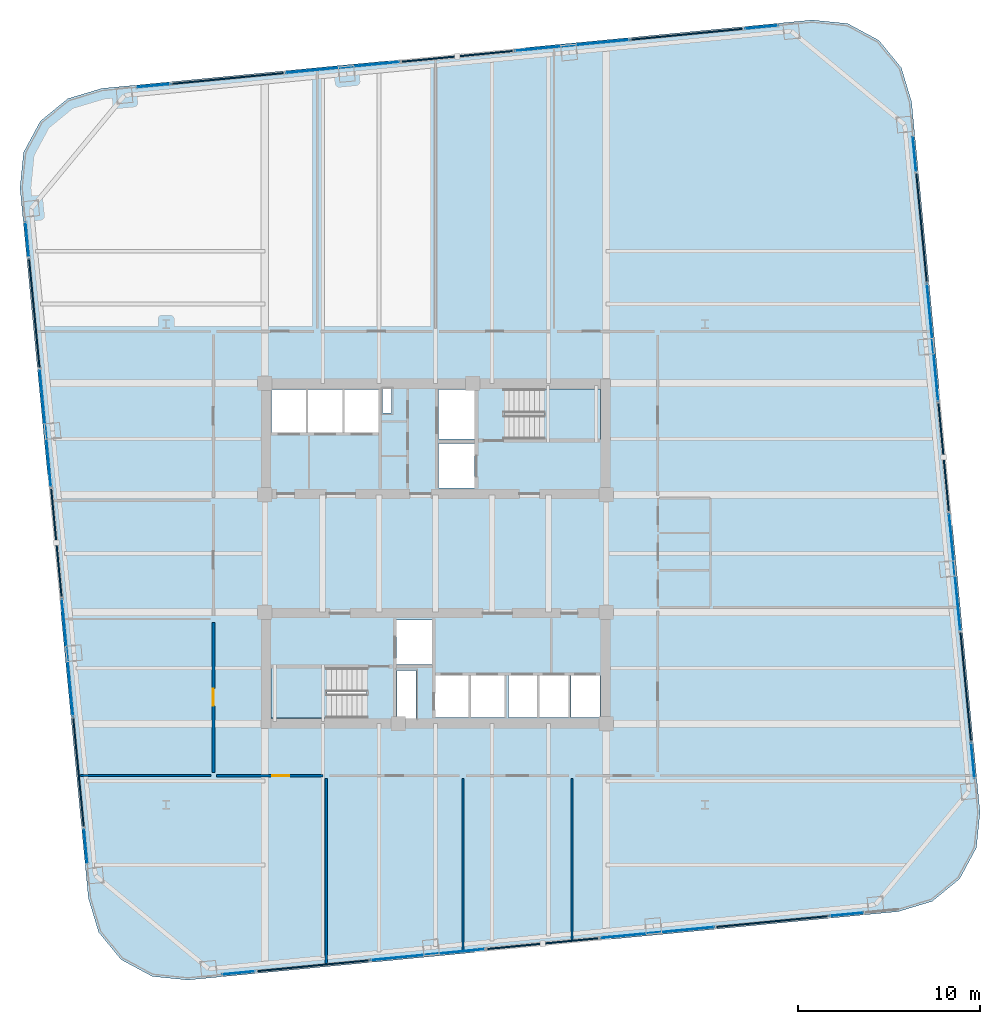
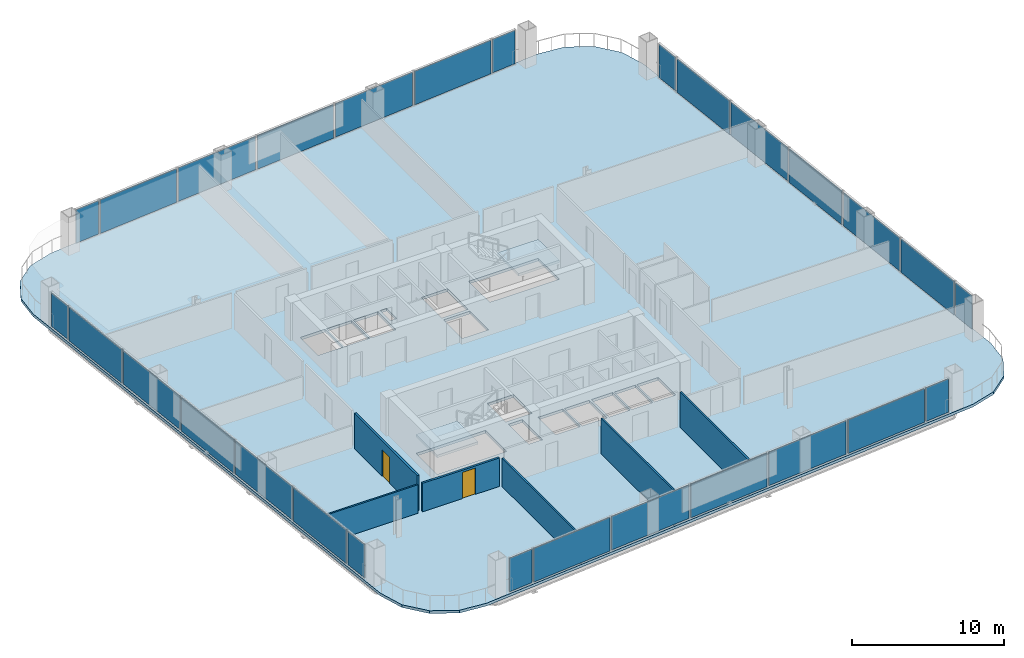
# One storey, part 22 of 28: 28 plates, 6 walls, 3 slabs, 2 doors, 2 openings, 30 elements without a shape of their own.
"""IFC4 building model written with IfcOpenShell, lengths in metres."""

from ifc_helpers import new_model, si_unit, direction, frame, frame_2d, origin, origin_2d, place, context, subcontext, project, spatial, polyline, rectangle, outline, extrude, material, layer, layer_set, type_object, element, fill, aggregate, save


model = new_model("IFC4")

# Units and contexts
model_context = context("Model", 3, precision=1e-05, world=origin(), true_north=direction((0.0, 1.0)))
body_context = subcontext(model_context, "Body", "Model", "MODEL_VIEW")
ifc_project = project(units=[si_unit("LENGTHUNIT", "METRE"), si_unit("AREAUNIT", "SQUARE_METRE"), si_unit("VOLUMEUNIT", "CUBIC_METRE"), si_unit("PLANEANGLEUNIT", "RADIAN"), si_unit("MASSUNIT", "GRAM", prefix="KILO")], contexts=[model_context])

# Site, building, storey
site_placement = place(None, origin())
site = spatial("IfcSite", under=ifc_project, at=site_placement, CompositionType="ELEMENT")
building_placement = place(site_placement, origin())
building = spatial("IfcBuilding", under=site, at=building_placement, Name="Qhalaya Broadcast Tower", CompositionType="ELEMENT")
storey_placement = place(building_placement, frame((0.0, 0.0, 90.800048828125)))
storey = spatial("IfcBuildingStorey", under=building, at=storey_placement, Name="L26", CompositionType="ELEMENT", Elevation=90.800048828125)

# Curtain wall, plate
ifc_material_1 = material(Name="Fired Architectural Terracotta", Category="masonry")
ifc_layer_1 = layer(ifc_material_1, 0.219970703125, Name="Fired Architectural Terracotta")
ifc_layer_set_1 = layer_set([ifc_layer_1], Name="Fired Architectural Terracotta")
curtain_wall_type_1 = type_object("IfcCurtainWallType", Name="Block-Cap Unitised Terracotta Spandrel Wall CW-07", PredefinedType="NOTDEFINED", material=ifc_layer_set_1)
curtain_wall_1_placement = place(storey_placement, origin())
curtain_wall_1 = element("IfcCurtainWall", 1, at=curtain_wall_1_placement, inside=storey, type_object=curtain_wall_type_1, Name="L26 Unitised Curtain Wall L26-CW-S2", PredefinedType="NOTDEFINED")
ifc_layer_2 = layer(ifc_material_1, 0.080078125, Name="Fired Architectural Terracotta")
ifc_layer_set_2 = layer_set([ifc_layer_2], Name="Fired Architectural Terracotta")
plate_type_1 = type_object("IfcPlateType", Name="Insulated Terracotta Spandrel Panel TSP-07", PredefinedType="CURTAIN_PANEL", material=ifc_layer_set_2)
plate_1_placement = place(storey_placement, frame((-6.721923828125, -22.041259765625, 0.0751953125), z_axis=(0.0, 0.0, 1.0), x_axis=(0.995394666059, 0.095861664819, 0.0)))
plate_1 = element("IfcPlate", 2, at=plate_1_placement, type_object=plate_type_1, Name="CW-07 panel 1.1", PredefinedType="CURTAIN_PANEL", context=body_context, shape_type="SweptSolid", body=[
    extrude(rectangle(XDim=6.130859375, YDim=0.080078125, at=origin_2d()), origin(), (0.0, 0.0, 1.0), 2.679931640625),
])
aggregate(curtain_wall_1, [plate_1])

curtain_wall_2_placement = place(storey_placement, origin())
curtain_wall_2 = element("IfcCurtainWall", 3, at=curtain_wall_2_placement, inside=storey, type_object=curtain_wall_type_1, Name="L26 Unitised Curtain Wall L26-CW-S4", PredefinedType="NOTDEFINED")
plate_2_placement = place(storey_placement, frame((5.88623046875, -20.827392578125, 0.0751953125), z_axis=(0.0, 0.0, 1.0), x_axis=(0.995394756218, 0.095860728627, 0.0)))
plate_2 = element("IfcPlate", 4, at=plate_2_placement, type_object=plate_type_1, Name="CW-07 panel 1.1", PredefinedType="CURTAIN_PANEL", context=body_context, shape_type="SweptSolid", body=[
    extrude(rectangle(XDim=6.132080078125, YDim=0.080078125, at=origin_2d()), origin(), (0.0, 0.0, 1.0), 2.679931640625),
])
aggregate(curtain_wall_2, [plate_2])

curtain_wall_3_placement = place(storey_placement, origin())
curtain_wall_3 = element("IfcCurtainWall", 5, at=curtain_wall_3_placement, inside=storey, type_object=curtain_wall_type_1, Name="L26 Unitised Curtain Wall L26-CW-S6", PredefinedType="NOTDEFINED")
plate_3_placement = place(storey_placement, frame((18.494384765625, -19.61328125, 0.0751953125), z_axis=(0.0, 0.0, 1.0), x_axis=(0.995394812364, 0.095860145627, 0.0)))
plate_3 = element("IfcPlate", 6, at=plate_3_placement, type_object=plate_type_1, Name="CW-07 panel 1.1", PredefinedType="CURTAIN_PANEL", context=body_context, shape_type="SweptSolid", body=[
    extrude(rectangle(XDim=6.131103515625, YDim=0.080078125, at=origin_2d()), origin(), (0.0, 0.0, 1.0), 2.679931640625),
])
aggregate(curtain_wall_3, [plate_3])

curtain_wall_4_placement = place(storey_placement, origin())
curtain_wall_4 = element("IfcCurtainWall", 7, at=curtain_wall_4_placement, inside=storey, type_object=curtain_wall_type_1, Name="L26 Unitised Curtain Wall L26-CW-E2", PredefinedType="NOTDEFINED")
plate_4_placement = place(storey_placement, frame((29.121337890625, -6.721923828125, 0.0751953125), z_axis=(0.0, 0.0, 1.0), x_axis=(-0.095843409779, 0.995396423945, 0.0)))
plate_4 = element("IfcPlate", 8, at=plate_4_placement, type_object=plate_type_1, Name="CW-07 panel 1.1", PredefinedType="CURTAIN_PANEL", context=body_context, shape_type="SweptSolid", body=[
    extrude(rectangle(XDim=5.958984375, YDim=0.080078125, at=origin_2d()), origin(), (0.0, 0.0, 1.0), 2.679931640625),
])
aggregate(curtain_wall_4, [plate_4])

curtain_wall_5_placement = place(storey_placement, origin())
curtain_wall_5 = element("IfcCurtainWall", 9, at=curtain_wall_5_placement, inside=storey, type_object=curtain_wall_type_1, Name="L26 Unitised Curtain Wall L26-CW-E4", PredefinedType="NOTDEFINED")
plate_5_placement = place(storey_placement, frame((27.9072265625, 5.88623046875, 0.0751953125), z_axis=(0.0, 0.0, 1.0), x_axis=(-0.095841245509, 0.995396632333, 0.0)))
plate_5 = element("IfcPlate", 10, at=plate_5_placement, type_object=plate_type_1, Name="CW-07 panel 1.1", PredefinedType="CURTAIN_PANEL", context=body_context, shape_type="SweptSolid", body=[
    extrude(rectangle(XDim=5.9580078125, YDim=0.080078125, at=origin_2d()), origin(), (0.0, 0.0, 1.0), 2.679931640625),
])
aggregate(curtain_wall_5, [plate_5])

curtain_wall_6_placement = place(storey_placement, origin())
curtain_wall_6 = element("IfcCurtainWall", 11, at=curtain_wall_6_placement, inside=storey, type_object=curtain_wall_type_1, Name="L26 Unitised Curtain Wall L26-CW-E6", PredefinedType="NOTDEFINED")
plate_6_placement = place(storey_placement, frame((26.693359375, 18.494384765625, 0.0751953125), z_axis=(0.0, 0.0, 1.0), x_axis=(-0.095841848125, 0.99539657431, 0.0)))
plate_6 = element("IfcPlate", 12, at=plate_6_placement, type_object=plate_type_1, Name="CW-07 panel 1.1", PredefinedType="CURTAIN_PANEL", context=body_context, shape_type="SweptSolid", body=[
    extrude(rectangle(XDim=5.958984375, YDim=0.080078125, at=origin_2d()), origin(), (0.0, 0.0, 1.0), 2.679931640625),
])
aggregate(curtain_wall_6, [plate_6])

curtain_wall_7_placement = place(storey_placement, origin())
curtain_wall_7 = element("IfcCurtainWall", 13, at=curtain_wall_7_placement, inside=storey, type_object=curtain_wall_type_1, Name="L26 Unitised Curtain Wall L26-CW-N2", PredefinedType="NOTDEFINED")
plate_7_placement = place(storey_placement, frame((13.802001953125, 29.121337890625, 0.0751953125), z_axis=(0.0, 0.0, 1.0), x_axis=(-0.995394666059, -0.095861664819, 0.0)))
plate_7 = element("IfcPlate", 14, at=plate_7_placement, type_object=plate_type_1, Name="CW-07 panel 1.1", PredefinedType="CURTAIN_PANEL", context=body_context, shape_type="SweptSolid", body=[
    extrude(rectangle(XDim=6.130859375, YDim=0.080078125, at=origin_2d()), origin(), (0.0, 0.0, 1.0), 2.679931640625),
])
aggregate(curtain_wall_7, [plate_7])

curtain_wall_8_placement = place(storey_placement, origin())
curtain_wall_8 = element("IfcCurtainWall", 15, at=curtain_wall_8_placement, inside=storey, type_object=curtain_wall_type_1, Name="L26 Unitised Curtain Wall L26-CW-N4", PredefinedType="NOTDEFINED")
plate_8_placement = place(storey_placement, frame((1.19384765625, 27.9072265625, 0.0751953125), z_axis=(0.0, 0.0, 1.0), x_axis=(-0.995394756218, -0.095860728627, 0.0)))
plate_8 = element("IfcPlate", 16, at=plate_8_placement, type_object=plate_type_1, Name="CW-07 panel 1.1", PredefinedType="CURTAIN_PANEL", context=body_context, shape_type="SweptSolid", body=[
    extrude(rectangle(XDim=6.132080078125, YDim=0.080078125, at=origin_2d()), origin(), (0.0, 0.0, 1.0), 2.679931640625),
])
aggregate(curtain_wall_8, [plate_8])

curtain_wall_9_placement = place(storey_placement, origin())
curtain_wall_9 = element("IfcCurtainWall", 17, at=curtain_wall_9_placement, inside=storey, type_object=curtain_wall_type_1, Name="L26 Unitised Curtain Wall L26-CW-N6", PredefinedType="NOTDEFINED")
plate_9_placement = place(storey_placement, frame((-11.41455078125, 26.693359375, 0.0751953125), z_axis=(0.0, 0.0, 1.0), x_axis=(-0.995394812364, -0.095860145627, 0.0)))
plate_9 = element("IfcPlate", 18, at=plate_9_placement, type_object=plate_type_1, Name="CW-07 panel 1.1", PredefinedType="CURTAIN_PANEL", context=body_context, shape_type="SweptSolid", body=[
    extrude(rectangle(XDim=6.131103515625, YDim=0.080078125, at=origin_2d()), origin(), (0.0, 0.0, 1.0), 2.679931640625),
])
aggregate(curtain_wall_9, [plate_9])

curtain_wall_10_placement = place(storey_placement, origin())
curtain_wall_10 = element("IfcCurtainWall", 19, at=curtain_wall_10_placement, inside=storey, type_object=curtain_wall_type_1, Name="L26 Unitised Curtain Wall L26-CW-W2", PredefinedType="NOTDEFINED")
plate_10_placement = place(storey_placement, frame((-22.041259765625, 13.802001953125, 0.0751953125), z_axis=(0.0, 0.0, 1.0), x_axis=(0.095843409779, -0.995396423945, 0.0)))
plate_10 = element("IfcPlate", 20, at=plate_10_placement, type_object=plate_type_1, Name="CW-07 panel 1.1", PredefinedType="CURTAIN_PANEL", context=body_context, shape_type="SweptSolid", body=[
    extrude(rectangle(XDim=5.958984375, YDim=0.080078125, at=origin_2d()), origin(), (0.0, 0.0, 1.0), 2.679931640625),
])
aggregate(curtain_wall_10, [plate_10])

curtain_wall_11_placement = place(storey_placement, origin())
curtain_wall_11 = element("IfcCurtainWall", 21, at=curtain_wall_11_placement, inside=storey, type_object=curtain_wall_type_1, Name="L26 Unitised Curtain Wall L26-CW-W4", PredefinedType="NOTDEFINED")
plate_11_placement = place(storey_placement, frame((-20.827392578125, 1.19384765625, 0.0751953125), z_axis=(0.0, 0.0, 1.0), x_axis=(0.095841245509, -0.995396632333, 0.0)))
plate_11 = element("IfcPlate", 22, at=plate_11_placement, type_object=plate_type_1, Name="CW-07 panel 1.1", PredefinedType="CURTAIN_PANEL", context=body_context, shape_type="SweptSolid", body=[
    extrude(rectangle(XDim=5.9580078125, YDim=0.080078125, at=origin_2d()), origin(), (0.0, 0.0, 1.0), 2.679931640625),
])
aggregate(curtain_wall_11, [plate_11])

curtain_wall_12_placement = place(storey_placement, origin())
curtain_wall_12 = element("IfcCurtainWall", 23, at=curtain_wall_12_placement, inside=storey, type_object=curtain_wall_type_1, Name="L26 Unitised Curtain Wall L26-CW-W6", PredefinedType="NOTDEFINED")
plate_12_placement = place(storey_placement, frame((-19.61328125, -11.41455078125, 0.0751953125), z_axis=(0.0, 0.0, 1.0), x_axis=(0.095841848125, -0.99539657431, 0.0)))
plate_12 = element("IfcPlate", 24, at=plate_12_placement, type_object=plate_type_1, Name="CW-07 panel 1.1", PredefinedType="CURTAIN_PANEL", context=body_context, shape_type="SweptSolid", body=[
    extrude(rectangle(XDim=5.958984375, YDim=0.080078125, at=origin_2d()), origin(), (0.0, 0.0, 1.0), 2.679931640625),
])
aggregate(curtain_wall_12, [plate_12])

ifc_material_2 = material(Name="Solar-Control Low-E Triple Glazing", Category="glass")
ifc_layer_3 = layer(ifc_material_2, 0.219970703125, Name="Solar-Control Low-E Triple Glazing")
ifc_layer_set_3 = layer_set([ifc_layer_3], Name="Solar-Control Low-E Triple Glazing")
curtain_wall_type_2 = type_object("IfcCurtainWallType", Name="Even-Block 4-Storey Double-Module Curtain Wall CW-03", PredefinedType="NOTDEFINED", material=ifc_layer_set_3)
curtain_wall_13_placement = place(storey_placement, origin())
curtain_wall_13 = element("IfcCurtainWall", 25, at=curtain_wall_13_placement, inside=storey, type_object=curtain_wall_type_2, Name="L26 Unitised Curtain Wall L26-CW-S1", PredefinedType="NOTDEFINED")
ifc_layer_4 = layer(ifc_material_2, 0.035888671875, Name="Solar-Control Low-E Triple Glazing")
ifc_layer_set_4 = layer_set([ifc_layer_4], Name="Solar-Control Low-E Triple Glazing")
plate_type_2 = type_object("IfcPlateType", Name="Solar-Control Curtain Glazing Panel GLP-03", PredefinedType="CURTAIN_PANEL", material=ifc_layer_set_4)
plate_13_placement = place(storey_placement, frame((-10.81494140625, -22.435546875, 0.0751953125), z_axis=(0.0, 0.0, 1.0), x_axis=(0.99539780127, 0.095829104278, 0.0)))
plate_13 = element("IfcPlate", 26, at=plate_13_placement, type_object=plate_type_2, Name="CW-03 panel 1.1", PredefinedType="CURTAIN_PANEL", context=body_context, shape_type="SweptSolid", body=[
    extrude(rectangle(XDim=1.79296875, YDim=0.035888671875, at=origin_2d()), origin(), (0.0, 0.0, 1.0), 2.679931640625),
])
aggregate(curtain_wall_13, [plate_13])

curtain_wall_14_placement = place(storey_placement, origin())
curtain_wall_14 = element("IfcCurtainWall", 27, at=curtain_wall_14_placement, inside=storey, type_object=curtain_wall_type_2, Name="L26 Unitised Curtain Wall L26-CW-S3", PredefinedType="NOTDEFINED")
plate_14_placement = place(storey_placement, frame((-0.418212890625, -21.434326171875, 0.0751953125), z_axis=(0.0, 0.0, 1.0), x_axis=(0.99539731409, 0.095834164588, 0.0)))
plate_14 = element("IfcPlate", 28, at=plate_14_placement, type_object=plate_type_2, Name="CW-03 panel 1.1", PredefinedType="CURTAIN_PANEL", context=body_context, shape_type="SweptSolid", body=[
    extrude(rectangle(XDim=6.235107421875, YDim=0.035888671875, at=origin_2d()), origin(), (0.0, 0.0, 1.0), 2.679931640625),
])
aggregate(curtain_wall_14, [plate_14])

curtain_wall_15_placement = place(storey_placement, origin())
curtain_wall_15 = element("IfcCurtainWall", 29, at=curtain_wall_15_placement, inside=storey, type_object=curtain_wall_type_2, Name="L26 Unitised Curtain Wall L26-CW-S5", PredefinedType="NOTDEFINED")
plate_15_placement = place(storey_placement, frame((12.190673828125, -20.22021484375, 0.0751953125), z_axis=(0.0, 0.0, 1.0), x_axis=(0.99539731409, 0.095834164588, 0.0)))
plate_15 = element("IfcPlate", 30, at=plate_15_placement, type_object=plate_type_2, Name="CW-03 panel 1.1", PredefinedType="CURTAIN_PANEL", context=body_context, shape_type="SweptSolid", body=[
    extrude(rectangle(XDim=6.235107421875, YDim=0.035888671875, at=origin_2d()), origin(), (0.0, 0.0, 1.0), 2.679931640625),
])
aggregate(curtain_wall_15, [plate_15])

curtain_wall_16_placement = place(storey_placement, origin())
curtain_wall_16 = element("IfcCurtainWall", 31, at=curtain_wall_16_placement, inside=storey, type_object=curtain_wall_type_2, Name="L26 Unitised Curtain Wall L26-CW-S7", PredefinedType="NOTDEFINED")
plate_16_placement = place(storey_placement, frame((22.587646484375, -19.218994140625, 0.0751953125), z_axis=(0.0, 0.0, 1.0), x_axis=(0.99539780127, 0.095829104278, 0.0)))
plate_16 = element("IfcPlate", 32, at=plate_16_placement, type_object=plate_type_2, Name="CW-03 panel 1.1", PredefinedType="CURTAIN_PANEL", context=body_context, shape_type="SweptSolid", body=[
    extrude(rectangle(XDim=1.79296875, YDim=0.035888671875, at=origin_2d()), origin(), (0.0, 0.0, 1.0), 2.679931640625),
])
aggregate(curtain_wall_16, [plate_16])

curtain_wall_17_placement = place(storey_placement, origin())
curtain_wall_17 = element("IfcCurtainWall", 33, at=curtain_wall_17_placement, inside=storey, type_object=curtain_wall_type_2, Name="L26 Unitised Curtain Wall L26-CW-E1", PredefinedType="NOTDEFINED")
plate_17_placement = place(storey_placement, frame((29.51123046875, -10.772216796875, 0.0751953125), z_axis=(0.0, 0.0, 1.0), x_axis=(-0.095857964978, 0.995395022366, 0.0)))
plate_17 = element("IfcPlate", 34, at=plate_17_placement, type_object=plate_type_2, Name="CW-03 panel 1.1", PredefinedType="CURTAIN_PANEL", context=body_context, shape_type="SweptSolid", body=[
    extrude(rectangle(XDim=1.879150390625, YDim=0.035888671875, at=origin_2d()), origin(), (0.0, 0.0, 1.0), 2.679931640625),
])
aggregate(curtain_wall_17, [plate_17])

curtain_wall_18_placement = place(storey_placement, origin())
curtain_wall_18 = element("IfcCurtainWall", 35, at=curtain_wall_18_placement, inside=storey, type_object=curtain_wall_type_2, Name="L26 Unitised Curtain Wall L26-CW-E3", PredefinedType="NOTDEFINED")
plate_18_placement = place(storey_placement, frame((28.514404296875, -0.41748046875, 0.0751953125), z_axis=(0.0, 0.0, 1.0), x_axis=(-0.095852453314, 0.995395553131, 0.0)))
plate_18 = element("IfcPlate", 36, at=plate_18_placement, type_object=plate_type_2, Name="CW-03 panel 1.1", PredefinedType="CURTAIN_PANEL", context=body_context, shape_type="SweptSolid", body=[
    extrude(rectangle(XDim=6.407958984375, YDim=0.035888671875, at=origin_2d()), origin(), (0.0, 0.0, 1.0), 2.679931640625),
])
aggregate(curtain_wall_18, [plate_18])

curtain_wall_19_placement = place(storey_placement, origin())
curtain_wall_19 = element("IfcCurtainWall", 37, at=curtain_wall_19_placement, inside=storey, type_object=curtain_wall_type_2, Name="L26 Unitised Curtain Wall L26-CW-E5", PredefinedType="NOTDEFINED")
plate_19_placement = place(storey_placement, frame((27.30029296875, 12.190185546875, 0.0751953125), z_axis=(0.0, 0.0, 1.0), x_axis=(-0.095852453314, 0.995395553131, 0.0)))
plate_19 = element("IfcPlate", 38, at=plate_19_placement, type_object=plate_type_2, Name="CW-03 panel 1.1", PredefinedType="CURTAIN_PANEL", context=body_context, shape_type="SweptSolid", body=[
    extrude(rectangle(XDim=6.407958984375, YDim=0.035888671875, at=origin_2d()), origin(), (0.0, 0.0, 1.0), 2.679931640625),
])
aggregate(curtain_wall_19, [plate_19])

curtain_wall_20_placement = place(storey_placement, origin())
curtain_wall_20 = element("IfcCurtainWall", 39, at=curtain_wall_20_placement, inside=storey, type_object=curtain_wall_type_2, Name="L26 Unitised Curtain Wall L26-CW-E7", PredefinedType="NOTDEFINED")
plate_20_placement = place(storey_placement, frame((26.30322265625, 22.544677734375, 0.0751953125), z_axis=(0.0, 0.0, 1.0), x_axis=(-0.095857964978, 0.995395022366, 0.0)))
plate_20 = element("IfcPlate", 40, at=plate_20_placement, type_object=plate_type_2, Name="CW-03 panel 1.1", PredefinedType="CURTAIN_PANEL", context=body_context, shape_type="SweptSolid", body=[
    extrude(rectangle(XDim=1.879150390625, YDim=0.035888671875, at=origin_2d()), origin(), (0.0, 0.0, 1.0), 2.679931640625),
])
aggregate(curtain_wall_20, [plate_20])

curtain_wall_21_placement = place(storey_placement, origin())
curtain_wall_21 = element("IfcCurtainWall", 41, at=curtain_wall_21_placement, inside=storey, type_object=curtain_wall_type_2, Name="L26 Unitised Curtain Wall L26-CW-N1", PredefinedType="NOTDEFINED")
plate_21_placement = place(storey_placement, frame((17.89501953125, 29.515380859375, 0.0751953125), z_axis=(0.0, 0.0, 1.0), x_axis=(-0.99539780127, -0.095829104278, 0.0)))
plate_21 = element("IfcPlate", 42, at=plate_21_placement, type_object=plate_type_2, Name="CW-03 panel 1.1", PredefinedType="CURTAIN_PANEL", context=body_context, shape_type="SweptSolid", body=[
    extrude(rectangle(XDim=1.79296875, YDim=0.035888671875, at=origin_2d()), origin(), (0.0, 0.0, 1.0), 2.679931640625),
])
aggregate(curtain_wall_21, [plate_21])

curtain_wall_22_placement = place(storey_placement, origin())
curtain_wall_22 = element("IfcCurtainWall", 43, at=curtain_wall_22_placement, inside=storey, type_object=curtain_wall_type_2, Name="L26 Unitised Curtain Wall L26-CW-N3", PredefinedType="NOTDEFINED")
plate_22_placement = place(storey_placement, frame((7.498046875, 28.514404296875, 0.0751953125), z_axis=(0.0, 0.0, 1.0), x_axis=(-0.99539731409, -0.095834164588, 0.0)))
plate_22 = element("IfcPlate", 44, at=plate_22_placement, type_object=plate_type_2, Name="CW-03 panel 1.1", PredefinedType="CURTAIN_PANEL", context=body_context, shape_type="SweptSolid", body=[
    extrude(rectangle(XDim=6.235107421875, YDim=0.035888671875, at=origin_2d()), origin(), (0.0, 0.0, 1.0), 2.679931640625),
])
aggregate(curtain_wall_22, [plate_22])

curtain_wall_23_placement = place(storey_placement, origin())
curtain_wall_23 = element("IfcCurtainWall", 45, at=curtain_wall_23_placement, inside=storey, type_object=curtain_wall_type_2, Name="L26 Unitised Curtain Wall L26-CW-N5", PredefinedType="NOTDEFINED")
plate_23_placement = place(storey_placement, frame((-5.110595703125, 27.30029296875, 0.0751953125), z_axis=(0.0, 0.0, 1.0), x_axis=(-0.99539731409, -0.095834164588, 0.0)))
plate_23 = element("IfcPlate", 46, at=plate_23_placement, type_object=plate_type_2, Name="CW-03 panel 1.1", PredefinedType="CURTAIN_PANEL", context=body_context, shape_type="SweptSolid", body=[
    extrude(rectangle(XDim=6.235107421875, YDim=0.035888671875, at=origin_2d()), origin(), (0.0, 0.0, 1.0), 2.679931640625),
])
aggregate(curtain_wall_23, [plate_23])

curtain_wall_24_placement = place(storey_placement, origin())
curtain_wall_24 = element("IfcCurtainWall", 47, at=curtain_wall_24_placement, inside=storey, type_object=curtain_wall_type_2, Name="L26 Unitised Curtain Wall L26-CW-N7", PredefinedType="NOTDEFINED")
plate_24_placement = place(storey_placement, frame((-15.507568359375, 26.299072265625, 0.0751953125), z_axis=(0.0, 0.0, 1.0), x_axis=(-0.99539780127, -0.095829104278, 0.0)))
plate_24 = element("IfcPlate", 48, at=plate_24_placement, type_object=plate_type_2, Name="CW-03 panel 1.1", PredefinedType="CURTAIN_PANEL", context=body_context, shape_type="SweptSolid", body=[
    extrude(rectangle(XDim=1.79296875, YDim=0.035888671875, at=origin_2d()), origin(), (0.0, 0.0, 1.0), 2.679931640625),
])
aggregate(curtain_wall_24, [plate_24])

curtain_wall_25_placement = place(storey_placement, origin())
curtain_wall_25 = element("IfcCurtainWall", 49, at=curtain_wall_25_placement, inside=storey, type_object=curtain_wall_type_2, Name="L26 Unitised Curtain Wall L26-CW-W1", PredefinedType="NOTDEFINED")
plate_25_placement = place(storey_placement, frame((-22.431396484375, 17.85205078125, 0.0751953125), z_axis=(0.0, 0.0, 1.0), x_axis=(0.095857964978, -0.995395022366, 0.0)))
plate_25 = element("IfcPlate", 50, at=plate_25_placement, type_object=plate_type_2, Name="CW-03 panel 1.1", PredefinedType="CURTAIN_PANEL", context=body_context, shape_type="SweptSolid", body=[
    extrude(rectangle(XDim=1.879150390625, YDim=0.035888671875, at=origin_2d()), origin(), (0.0, 0.0, 1.0), 2.679931640625),
])
aggregate(curtain_wall_25, [plate_25])

curtain_wall_26_placement = place(storey_placement, origin())
curtain_wall_26 = element("IfcCurtainWall", 51, at=curtain_wall_26_placement, inside=storey, type_object=curtain_wall_type_2, Name="L26 Unitised Curtain Wall L26-CW-W3", PredefinedType="NOTDEFINED")
plate_26_placement = place(storey_placement, frame((-21.434326171875, 7.49755859375, 0.0751953125), z_axis=(0.0, 0.0, 1.0), x_axis=(0.095852453314, -0.995395553131, 0.0)))
plate_26 = element("IfcPlate", 52, at=plate_26_placement, type_object=plate_type_2, Name="CW-03 panel 1.1", PredefinedType="CURTAIN_PANEL", context=body_context, shape_type="SweptSolid", body=[
    extrude(rectangle(XDim=6.407958984375, YDim=0.035888671875, at=origin_2d()), origin(), (0.0, 0.0, 1.0), 2.679931640625),
])
aggregate(curtain_wall_26, [plate_26])

curtain_wall_27_placement = place(storey_placement, origin())
curtain_wall_27 = element("IfcCurtainWall", 53, at=curtain_wall_27_placement, inside=storey, type_object=curtain_wall_type_2, Name="L26 Unitised Curtain Wall L26-CW-W5", PredefinedType="NOTDEFINED")
plate_27_placement = place(storey_placement, frame((-20.22021484375, -5.110107421875, 0.0751953125), z_axis=(0.0, 0.0, 1.0), x_axis=(0.095852453314, -0.995395553131, 0.0)))
plate_27 = element("IfcPlate", 54, at=plate_27_placement, type_object=plate_type_2, Name="CW-03 panel 1.1", PredefinedType="CURTAIN_PANEL", context=body_context, shape_type="SweptSolid", body=[
    extrude(rectangle(XDim=6.407958984375, YDim=0.035888671875, at=origin_2d()), origin(), (0.0, 0.0, 1.0), 2.679931640625),
])
aggregate(curtain_wall_27, [plate_27])

curtain_wall_28_placement = place(storey_placement, origin())
curtain_wall_28 = element("IfcCurtainWall", 55, at=curtain_wall_28_placement, inside=storey, type_object=curtain_wall_type_2, Name="L26 Unitised Curtain Wall L26-CW-W7", PredefinedType="NOTDEFINED")
plate_28_placement = place(storey_placement, frame((-19.22314453125, -15.46484375, 0.0751953125), z_axis=(0.0, 0.0, 1.0), x_axis=(0.095857964978, -0.995395022366, 0.0)))
plate_28 = element("IfcPlate", 56, at=plate_28_placement, type_object=plate_type_2, Name="CW-03 panel 1.1", PredefinedType="CURTAIN_PANEL", context=body_context, shape_type="SweptSolid", body=[
    extrude(rectangle(XDim=1.879150390625, YDim=0.035888671875, at=origin_2d()), origin(), (0.0, 0.0, 1.0), 2.679931640625),
])
aggregate(curtain_wall_28, [plate_28])

# Stair, slab
ifc_material_3 = material(Name="Concrete C40/50", Category="concrete")
stair_type = type_object("IfcStairType", Name="Protected Dogleg Core Stair 3150", PredefinedType="TWO_STRAIGHT_RUN_STAIR", material=ifc_material_3)
stair_1_placement = place(storey_placement, origin())
stair_1 = element("IfcStair", 57, at=stair_1_placement, inside=storey, type_object=stair_type, Name="L26 North Core Exit Stair ST-1", PredefinedType="TWO_STRAIGHT_RUN_STAIR")
ifc_layer_5 = layer(ifc_material_3, 0.199951171875, Name="Concrete C40/50")
ifc_layer_set_5 = layer_set([ifc_layer_5], Name="Concrete C40/50")
slab_type_1 = type_object("IfcSlabType", Name="Stair & Ramp Half-Landing Slab 200", PredefinedType="LANDING", material=ifc_layer_set_5)
slab_1_placement = place(storey_placement, frame((0.0, 0.0, 1.324951171875)))
slab_1 = element("IfcSlab", 58, at=slab_1_placement, type_object=slab_type_1, Name="ST-1 landing 1", PredefinedType="LANDING", context=body_context, shape_type="SweptSolid", body=[
    extrude(outline(polyline([(5.955078125, 6.8798828125), (9.050048828125, 6.8798828125), (9.050048828125, 9.639892578125), (5.955078125, 9.639892578125), (5.955078125, 6.8798828125)])), origin(), (0.0, 0.0, 1.0), 0.199951171875),
])
aggregate(stair_1, [slab_1])

stair_2_placement = place(storey_placement, origin())
stair_2 = element("IfcStair", 59, at=stair_2_placement, inside=storey, type_object=stair_type, Name="L26 South Core Exit Stair ST-2", PredefinedType="TWO_STRAIGHT_RUN_STAIR")
slab_2_placement = place(storey_placement, frame((0.0, 0.0, 1.324951171875)))
slab_2 = element("IfcSlab", 60, at=slab_2_placement, type_object=slab_type_1, Name="ST-2 landing 1", PredefinedType="LANDING", context=body_context, shape_type="SweptSolid", body=[
    extrude(outline(polyline([(-5.955078125, -5.679931640625), (-9.050048828125, -5.679931640625), (-9.050048828125, -8.43994140625), (-5.955078125, -8.43994140625), (-5.955078125, -5.679931640625)])), origin(), (0.0, 0.0, 1.0), 0.199951171875),
])
aggregate(stair_2, [slab_2])

# Slab
ifc_layer_6 = layer(ifc_material_3, 0.219970703125, Name="Concrete C40/50")
ifc_layer_set_6 = layer_set([ifc_layer_6], Name="Concrete C40/50")
slab_type_2 = type_object("IfcSlabType", Name="Tower Composite Floor Slab 220", PredefinedType="FLOOR", material=ifc_layer_set_6)
slab_3_placement = place(storey_placement, frame((0.0, 0.0, -0.219970703125)))
element("IfcSlab", 61, at=slab_3_placement, inside=storey, type_object=slab_type_2, Name="L26 Main Structural Floor Slab", PredefinedType="FLOOR", context=body_context, shape_type="SweptSolid", body=[
    extrude(outline(polyline([(25.40771484375, -19.068115234375), (27.275634765625, -18.505859375), (28.78662109375, -17.271484375), (29.7099609375, -15.552978515625), (29.9052734375, -13.612060546875), (26.148193359375, 25.40771484375), (25.5859375, 27.275634765625), (24.3515625, 28.78662109375), (22.633056640625, 29.7099609375), (20.69189453125, 29.9052734375), (-18.32763671875, 26.148193359375), (-20.19580078125, 25.5859375), (-21.70654296875, 24.3515625), (-22.6298828125, 22.633056640625), (-22.8251953125, 20.69189453125), (-19.068115234375, -18.32763671875), (-18.505859375, -20.19580078125), (-17.271484375, -21.70654296875), (-15.552978515625, -22.6298828125), (-13.612060546875, -22.8251953125), (25.40771484375, -19.068115234375)]), holes=[polyline([(3.784912109375, 9.639892578125), (9.050048828125, 9.639892578125), (9.050048828125, 6.8798828125), (3.784912109375, 6.8798828125), (3.784912109375, 9.639892578125)]), polyline([(-3.784912109375, -8.43994140625), (-9.050048828125, -8.43994140625), (-9.050048828125, -5.679931640625), (-3.784912109375, -5.679931640625), (-3.784912109375, -8.43994140625)]), polyline([(0.14990234375, 6.64990234375), (2.14990234375, 6.64990234375), (2.14990234375, 4.199951171875), (0.14990234375, 4.199951171875), (0.14990234375, 6.64990234375)]), polyline([(0.14990234375, 9.60009765625), (2.14990234375, 9.60009765625), (2.14990234375, 6.89990234375), (0.14990234375, 6.89990234375), (0.14990234375, 9.60009765625)]), polyline([(-2.14990234375, -3.050048828125), (-0.14990234375, -3.050048828125), (-0.14990234375, -5.5), (-2.14990234375, -5.5), (-2.14990234375, -3.050048828125)]), polyline([(-9.0, 9.60009765625), (-7.1201171875, 9.60009765625), (-7.1201171875, 7.25), (-9.0, 7.25), (-9.0, 9.60009765625)]), polyline([(-7.0, 9.60009765625), (-5.1201171875, 9.60009765625), (-5.1201171875, 7.25), (-7.0, 7.25), (-7.0, 9.60009765625)]), polyline([(-5.0, 9.60009765625), (-3.1201171875, 9.60009765625), (-3.1201171875, 7.25), (-5.0, 7.25), (-5.0, 9.60009765625)]), polyline([(-0.050048828125, -6.10009765625), (1.830078125, -6.10009765625), (1.830078125, -8.39990234375), (-0.050048828125, -8.39990234375), (-0.050048828125, -6.10009765625)]), polyline([(1.949951171875, -6.10009765625), (3.830078125, -6.10009765625), (3.830078125, -8.39990234375), (1.949951171875, -8.39990234375), (1.949951171875, -6.10009765625)]), polyline([(4.0, -6.10009765625), (5.60009765625, -6.10009765625), (5.60009765625, -8.39990234375), (4.0, -8.39990234375), (4.0, -6.10009765625)]), polyline([(5.719970703125, -6.10009765625), (7.320068359375, -6.10009765625), (7.320068359375, -8.39990234375), (5.719970703125, -8.39990234375), (5.719970703125, -6.10009765625)]), polyline([(7.43994140625, -6.10009765625), (9.0400390625, -6.10009765625), (9.0400390625, -8.39990234375), (7.43994140625, -8.39990234375), (7.43994140625, -6.10009765625)]), polyline([(-2.919921875, 9.659912109375), (-2.419921875, 9.659912109375), (-2.419921875, 8.320068359375), (-2.919921875, 8.320068359375), (-2.919921875, 9.659912109375)]), polyline([(-2.1201171875, -5.820068359375), (-1.080078125, -5.820068359375), (-1.080078125, -8.4599609375), (-2.1201171875, -8.4599609375), (-2.1201171875, -5.820068359375)])]), origin(), (0.0, 0.0, 1.0), 0.219970703125),
])

# Wall, opening, door
ifc_material_4 = material(Name="Gypsum Acoustic Partition")
ifc_layer_7 = layer(ifc_material_4, 0.14990234375, Name="Gypsum Acoustic Partition")
ifc_layer_set_7 = layer_set([ifc_layer_7], Name="Gypsum Acoustic Partition")
wall_type_1 = type_object("IfcWallType", Name="Corridor & Tenancy Acoustic Partition 150", PredefinedType="PARTITIONING", material=ifc_layer_set_7)
wall_1_placement = place(storey_placement, frame((-12.02001953125, -11.60009765625, 0.0), z_axis=(0.0, 0.0, 1.0), x_axis=(1.0, 0.0, 0.0)))
wall_1 = element("IfcWall", 62, at=wall_1_placement, inside=storey, type_object=wall_type_1, Name="L26 Partition Wall W-COR-05", PredefinedType="PARTITIONING", context=body_context, shape_type="SweptSolid", body=[
    extrude(rectangle(XDim=5.840087890625, YDim=0.14990234375, at=frame_2d((2.919921875, 0.0))), origin(), (0.0, 0.0, 1.0), 2.27392578125),
])
opening_1_placement = place(wall_1_placement, frame((3.044921875, 0.0, 0.0)))
opening_1 = element("IfcOpeningElement", 63, at=opening_1_placement, cuts=wall_1, Name="Opening D10", PredefinedType="OPENING", context=body_context, shape_type="SweptSolid", body=[
    extrude(rectangle(XDim=0.949951171875, YDim=2.10009765625, at=frame_2d((0.47509765625, 1.050048828125))), frame((0.0, 0.0869140625, 0.0), z_axis=(0.0, -1.0, 0.0), x_axis=(1.0, 0.0, 0.0)), (0.0, 0.0, 1.0), 0.173828125),
])
ifc_material_5 = material(Name="Timber Veneer Acoustic Door", Category="wood")
door_type = type_object("IfcDoorType", Name="Cellular Office & Edit Booth Door D10", OperationType="NOTDEFINED", PredefinedType="DOOR", material=ifc_material_5)
door_1_placement = place(opening_1_placement, origin())
door_1 = element("IfcDoor", 64, at=door_1_placement, inside=storey, type_object=door_type, Name="L26 Door D-RM05", OperationType="SINGLE_SWING_RIGHT", OverallHeight=2.10009765625, OverallWidth=0.949951171875, PredefinedType="DOOR", context=body_context, shape_type="SweptSolid", body=[
    extrude(rectangle(XDim=0.949951171875, YDim=2.10009765625, at=frame_2d((0.47509765625, 1.050048828125))), frame((0.0, 0.02490234375, 0.0), z_axis=(0.0, -1.0, 0.0), x_axis=(1.0, 0.0, 0.0)), (0.0, 0.0, 1.0), 0.050048828125),
])
fill(opening_1, door_1)

wall_2_placement = place(storey_placement, frame((-12.199951171875, -11.419921875, 0.0), z_axis=(0.0, 0.0, 1.0), x_axis=(0.0, 1.0, 0.0)))
wall_2 = element("IfcWall", 65, at=wall_2_placement, inside=storey, type_object=wall_type_1, Name="L26 Partition Wall W-COR-09", PredefinedType="PARTITIONING", context=body_context, shape_type="SweptSolid", body=[
    extrude(rectangle(XDim=8.239990234375, YDim=0.14990234375, at=frame_2d((4.1201171875, 0.0))), origin(), (0.0, 0.0, 1.0), 2.829833984375),
])
opening_2_placement = place(wall_2_placement, frame((3.64501953125, 0.0, 0.0)))
opening_2 = element("IfcOpeningElement", 66, at=opening_2_placement, cuts=wall_2, Name="Opening D10", PredefinedType="OPENING", context=body_context, shape_type="SweptSolid", body=[
    extrude(rectangle(XDim=0.949951171875, YDim=2.10009765625, at=frame_2d((0.47509765625, 1.050048828125))), frame((0.0, 0.0869140625, 0.0), z_axis=(0.0, -1.0, 0.0), x_axis=(1.0, 0.0, 0.0)), (0.0, 0.0, 1.0), 0.173828125),
])
door_2_placement = place(opening_2_placement, origin())
door_2 = element("IfcDoor", 67, at=door_2_placement, inside=storey, type_object=door_type, Name="L26 Door D-RM09", OperationType="SINGLE_SWING_RIGHT", OverallHeight=2.10009765625, OverallWidth=0.949951171875, PredefinedType="DOOR", context=body_context, shape_type="SweptSolid", body=[
    extrude(rectangle(XDim=0.949951171875, YDim=2.10009765625, at=frame_2d((0.47509765625, 1.050048828125))), frame((0.0, 0.02490234375, 0.0), z_axis=(0.0, -1.0, 0.0), x_axis=(1.0, 0.0, 0.0)), (0.0, 0.0, 1.0), 0.050048828125),
])
fill(opening_2, door_2)

# Walls
ifc_layer_8 = layer(ifc_material_4, 0.1201171875, Name="Gypsum Acoustic Partition")
ifc_layer_set_8 = layer_set([ifc_layer_8], Name="Gypsum Acoustic Partition")
wall_type_2 = type_object("IfcWallType", Name="Office, Booth & Sanitary Partition 120", PredefinedType="PARTITIONING", material=ifc_layer_set_8)
wall_3_placement = place(storey_placement, frame((-19.595458984375, -11.60009765625, 0.0), z_axis=(0.0, 0.0, 1.0), x_axis=(1.0, 0.0, 0.0)))
element("IfcWall", 68, at=wall_3_placement, inside=storey, type_object=wall_type_2, Name="L26 Partition Wall W-BNDW2", PredefinedType="PARTITIONING", context=body_context, shape_type="SweptSolid", body=[
    extrude(rectangle(XDim=7.25537109375, YDim=0.1201171875, at=frame_2d((3.627685546875, 0.0))), origin(), (0.0, 0.0, 1.0), 2.27392578125),
])
wall_4_placement = place(storey_placement, frame((-6.0, -21.9716796875, 0.0), z_axis=(0.0, 0.0, 1.0), x_axis=(0.0, 1.0, 0.0)))
element("IfcWall", 69, at=wall_4_placement, inside=storey, type_object=wall_type_2, Name="L26 Partition Wall W-DIVS1", PredefinedType="PARTITIONING", context=body_context, shape_type="SweptSolid", body=[
    extrude(rectangle(XDim=10.211669921875, YDim=0.1201171875, at=frame_2d((5.10595703125, 0.0))), origin(), (0.0, 0.0, 1.0), 2.27392578125),
])
wall_5_placement = place(storey_placement, frame((1.5, -21.24951171875, 0.0), z_axis=(0.0, 0.0, 1.0), x_axis=(0.0, 1.0, 0.0)))
element("IfcWall", 70, at=wall_5_placement, inside=storey, type_object=wall_type_2, Name="L26 Partition Wall W-DIVS2", PredefinedType="PARTITIONING", context=body_context, shape_type="SweptSolid", body=[
    extrude(rectangle(XDim=9.489501953125, YDim=0.1201171875, at=frame_2d((4.74462890625, 0.0))), origin(), (0.0, 0.0, 1.0), 2.829833984375),
])
wall_6_placement = place(storey_placement, frame((7.5, -20.671875, 0.0), z_axis=(0.0, 0.0, 1.0), x_axis=(0.0, 1.0, 0.0)))
element("IfcWall", 71, at=wall_6_placement, inside=storey, type_object=wall_type_2, Name="L26 Partition Wall W-DIVS3", PredefinedType="PARTITIONING", context=body_context, shape_type="SweptSolid", body=[
    extrude(rectangle(XDim=8.911865234375, YDim=0.1201171875, at=frame_2d((4.4560546875, 0.0))), origin(), (0.0, 0.0, 1.0), 2.829833984375),
])

save(model, "model.ifc")
